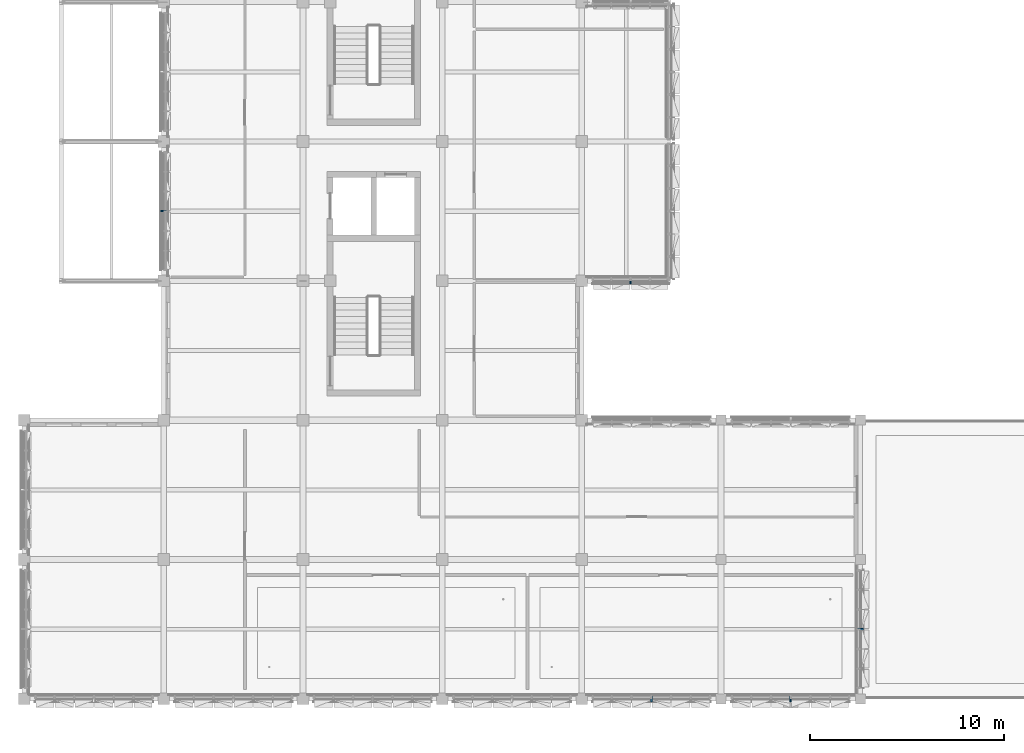
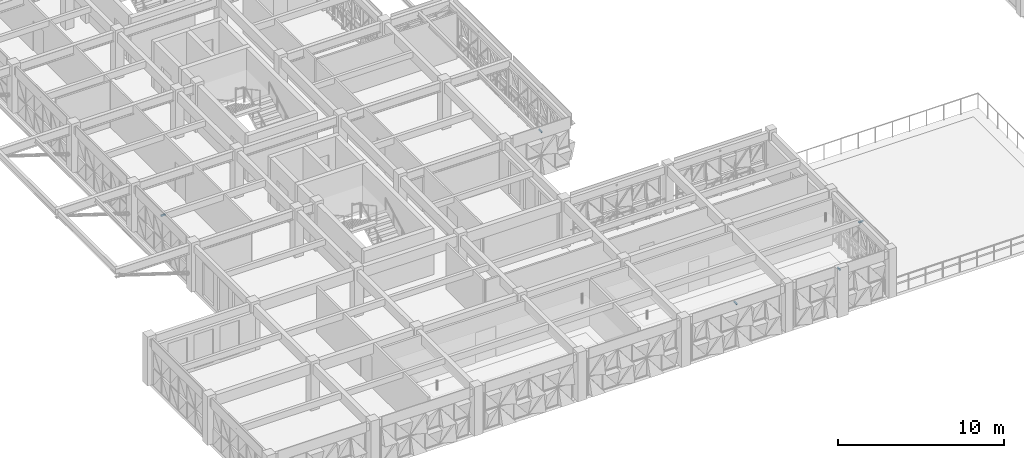
# One storey, part 69 of 99: 5 discrete accessories.
"""IFC4 building model written with IfcOpenShell, lengths in metres."""

import ifcopenshell
import ifcopenshell.guid

model = None  # the IFC model being written
_history = None  # IfcOwnerHistory: only IFC2X3 demands one
_inside = {}  # id of a spatial element -> (the spatial element, [elements in it])
_under = {}  # id of a project, library or spatial element -> (it, [spatial elements below it])
_declared = {}  # id of a project -> (the project, [libraries it declares])
_typed = {}  # id of a type object -> (the type object, [elements of that type])
_made_of = {}  # id of a material, layer set ... -> (it, [elements and type objects made of it])


def new_model(schema):
    """Start an empty IFC model of exactly this schema.

    Asked for "IFC4X3", IfcOpenShell would pick the latest addendum, in which some entities
    have other attributes; the version numbers below select the first issue.
    IFC2X3 requires an IfcOwnerHistory on every rooted entity: one is made here for all.
    """
    global model, _history
    if schema == "IFC4X3":
        model = ifcopenshell.file(schema_version=(4, 3, 0, 0))
    else:
        model = ifcopenshell.file(schema=schema)
    _inside.clear()
    _under.clear()
    _declared.clear()
    _typed.clear()
    _made_of.clear()
    _history = None
    if model.schema == "IFC2X3":
        org = make("IfcOrganization", Name="unknown")
        user = make(
            "IfcPersonAndOrganization",
            ThePerson=make("IfcPerson", FamilyName="unknown"),
            TheOrganization=org,
        )
        app = make(
            "IfcApplication",
            ApplicationDeveloper=org,
            Version="unknown",
            ApplicationFullName="unknown",
            ApplicationIdentifier="unknown",
        )
        _history = make(
            "IfcOwnerHistory",
            OwningUser=user,
            OwningApplication=app,
            ChangeAction="ADDED",
            CreationDate=0,
        )
    return model


def make(cls, **values):
    """One entity of the class cls with the attributes given. An attribute that is None is left unset."""
    return model.create_entity(
        cls, **{name: value for name, value in values.items() if value is not None}
    )


def rooted(cls, **values):
    """An entity with a GlobalId (a new one), such as an element, a storey or a relation."""
    return make(cls, GlobalId=ifcopenshell.guid.new(), OwnerHistory=_history, **values)


def si_unit(unit_type, name, prefix=None):
    """IfcSIUnit, for example si_unit("LENGTHUNIT", "METRE", prefix="MILLI")."""
    return make("IfcSIUnit", UnitType=unit_type, Prefix=prefix, Name=name)


def assignment(units):
    """IfcUnitAssignment: the units of a project."""
    return None if units is None else make("IfcUnitAssignment", Units=units)


def point(xyz):
    """IfcCartesianPoint."""
    return None if xyz is None else make("IfcCartesianPoint", Coordinates=xyz)


def direction(xyz):
    """IfcDirection."""
    return None if xyz is None else make("IfcDirection", DirectionRatios=xyz)


def frame(location, z_axis=None, x_axis=None):
    """IfcAxis2Placement3D, a coordinate frame: its origin and axes. An axis left out is left unset."""
    return make(
        "IfcAxis2Placement3D",
        Location=point(location),
        Axis=direction(z_axis),
        RefDirection=direction(x_axis),
    )


def frame_2d(location, x_axis=None):
    """IfcAxis2Placement2D, a coordinate frame in the plane: its origin and x axis."""
    return make(
        "IfcAxis2Placement2D", Location=point(location), RefDirection=direction(x_axis)
    )


def origin():
    """The frame at (0, 0, 0) with its axes left unset."""
    return frame((0.0, 0.0, 0.0))


def origin_2d():
    """The frame at (0, 0) in the plane with its x axis left unset."""
    return frame_2d((0.0, 0.0))


def place(relative_to, where):
    """IfcLocalPlacement: puts the frame where relative to a parent placement (None: the world)."""
    return make(
        "IfcLocalPlacement", PlacementRelTo=relative_to, RelativePlacement=where
    )


def context(
    kind, dimensions, precision=None, world=None, true_north=None, identifier=None
):
    """IfcGeometricRepresentationContext, for example the 3D "Model" context."""
    return make(
        "IfcGeometricRepresentationContext",
        ContextIdentifier=identifier,
        ContextType=kind,
        CoordinateSpaceDimension=dimensions,
        Precision=precision,
        WorldCoordinateSystem=world,
        TrueNorth=true_north,
    )


def subcontext(parent, identifier, kind, view, scale=None):
    """IfcGeometricRepresentationSubContext, for example "Body" below "Model"."""
    return make(
        "IfcGeometricRepresentationSubContext",
        ContextIdentifier=identifier,
        ContextType=kind,
        ParentContext=parent,
        TargetScale=scale,
        TargetView=view,
    )


def project(units=None, contexts=None):
    """IfcProject with its units and contexts."""
    return rooted(
        "IfcProject",
        Name="project",
        RepresentationContexts=contexts,
        UnitsInContext=assignment(units),
    )


def spatial(cls, under=None, at=None, **own):
    """A site, building, storey or space (cls), placed at a placement, below another one or the project."""
    s = rooted(cls, ObjectPlacement=at, **own)
    if under is not None:
        _under.setdefault(under.id(), (under, []))[1].append(s)
    return s


def profile(cls, at=None, kind="AREA", **sizes):
    """A parametric profile (cls). Its sizes go by their IFC names, for example OverallWidth=200.0."""
    return make(cls, ProfileType=kind, Position=at, **sizes)


def rectangle(**sizes):
    """IfcRectangleProfileDef."""
    return profile("IfcRectangleProfileDef", **sizes)


def extrude(swept, where, along, depth):
    """IfcExtrudedAreaSolid: the profile swept, set in the frame where, extruded along a direction by depth."""
    return make(
        "IfcExtrudedAreaSolid",
        SweptArea=swept,
        Position=where,
        ExtrudedDirection=direction(along),
        Depth=depth,
    )


def shape(context_of_items, identifier, shape_type, items):
    """IfcShapeRepresentation: the items that make up one representation, for example the "Body"."""
    return make(
        "IfcShapeRepresentation",
        ContextOfItems=context_of_items,
        RepresentationIdentifier=identifier,
        RepresentationType=shape_type,
        Items=items,
    )


def material(Name=None, Category=None):
    """IfcMaterial."""
    return make("IfcMaterial", Name=Name, Category=Category)


def made_of(thing, what):
    """Note that an element or type object is made of a material, layer set ...; save() writes the relation."""
    if what is not None:
        _made_of.setdefault(what.id(), (what, []))[1].append(thing)
    return thing


def type_object(cls, material=None, **own):
    """A type object (cls), such as IfcWallType, which elements share."""
    return made_of(rooted(cls, **own), material)


def element(
    cls,
    number,
    at=None,
    inside=None,
    cuts=None,
    type_object=None,
    material=None,
    context=None,
    identifier="Body",
    shape_type=None,
    held_by="IfcProductDefinitionShape",
    body=None,
    shapes=None,
    **own,
):
    """One element of the class cls, such as IfcWall. Its Tag is "e" and its number.

    at: its placement. inside: the storey or other place that contains it. cuts: it is an
    opening in that element (IfcRelVoidsElement). A single representation is given by context,
    identifier, shape_type and body (its items); several are given by shapes. held_by: the class
    of the entity that holds the representations. save() writes the other relations.
    """
    e = rooted(cls, Tag="e%d" % number, ObjectPlacement=at, **own)
    if body is not None:
        shapes = [shape(context, identifier, shape_type, body)]
    if shapes is not None:
        e.Representation = make(held_by, Representations=shapes)
    if inside is not None:
        _inside.setdefault(inside.id(), (inside, []))[1].append(e)
    if cuts is not None:
        rooted(
            "IfcRelVoidsElement", RelatingBuildingElement=cuts, RelatedOpeningElement=e
        )
    if type_object is not None:
        _typed.setdefault(type_object.id(), (type_object, []))[1].append(e)
    return made_of(e, material)


def aggregate(whole, parts):
    """IfcRelAggregates: a whole, such as a stair, and the parts it consists of."""
    return rooted("IfcRelAggregates", RelatingObject=whole, RelatedObjects=parts)


def save(model, path):
    """Write the relations noted so far, then the file.

    IfcRelAggregates (storeys below a building ...), IfcRelContainedInSpatialStructure (elements
    in a storey), IfcRelDefinesByType, IfcRelAssociatesMaterial and IfcRelDeclares: one each for
    every whole, place, type object, material and project.
    """
    for whole, parts in _under.values():
        aggregate(whole, parts)
    for where, things in _inside.values():
        rooted(
            "IfcRelContainedInSpatialStructure",
            RelatedElements=things,
            RelatingStructure=where,
        )
    for kind, things in _typed.values():
        rooted("IfcRelDefinesByType", RelatedObjects=things, RelatingType=kind)
    for what, things in _made_of.values():
        rooted("IfcRelAssociatesMaterial", RelatedObjects=things, RelatingMaterial=what)
    for by, libraries in _declared.values():
        rooted("IfcRelDeclares", RelatingContext=by, RelatedDefinitions=libraries)
    model.write(path)


model = new_model("IFC4")

# Units and contexts
model_context = context("Model", 3, precision=1e-05, world=origin(), true_north=direction((0.0, 1.0)))
body_context = subcontext(model_context, "Body", "Model", "MODEL_VIEW")
ifc_project = project(units=[si_unit("LENGTHUNIT", "METRE"), si_unit("AREAUNIT", "SQUARE_METRE"), si_unit("VOLUMEUNIT", "CUBIC_METRE"), si_unit("PLANEANGLEUNIT", "RADIAN"), si_unit("MASSUNIT", "GRAM", prefix="KILO")], contexts=[model_context])

# Site, building, storey
site_placement = place(None, origin())
site = spatial("IfcSite", under=ifc_project, at=site_placement, CompositionType="ELEMENT")
building_placement = place(site_placement, origin())
building = spatial("IfcBuilding", under=site, at=building_placement, Name="Alvorim Cloister Faculty of Sciences", CompositionType="ELEMENT")
storey_placement = place(building_placement, frame((0.0, 0.0, 12.14990234375)))
storey = spatial("IfcBuildingStorey", under=building, at=storey_placement, Name="L03", CompositionType="ELEMENT", Elevation=12.14990234375)

# Discrete accessories
ifc_material = material(Name="Aluminium Alloy 6063-T6", Category="aluminium")
discrete_accessory_type = type_object("IfcDiscreteAccessoryType", Name="ACC-DIAG-BAR", PredefinedType="BRACKET", material=ifc_material)
for number, where, z_axis, x_axis, name in (
    (1, (7.340087890625, 25.199951171875, 3.22509765625), (-1.0, 0.0, 0.0), (0.0, -1.0, 0.0), "Slab-Edge Fascia Tie Bracket ACC-01034"),
    (2, (31.330078125, 21.739990234375, 3.153076171875), (0.0, -1.0, 0.0), (1.0, 0.0, 0.0), "Slab-Edge Fascia Tie Bracket ACC-01557"),
    (3, (43.06005859375, 3.60009765625, 3.22509765625), (1.0, 0.0, 0.0), (0.0, 1.0, 0.0), "Slab-Edge Fascia Tie Bracket ACC-01596"),
):
    element("IfcDiscreteAccessory", number, at=place(storey_placement, frame(where, z_axis=z_axis, x_axis=x_axis)), inside=storey, type_object=discrete_accessory_type, Name=name, PredefinedType="BRACKET", context=body_context, shape_type="SweptSolid", body=[
        extrude(rectangle(XDim=0.080078125, YDim=0.080078125, at=origin_2d()), origin(), (0.0, 0.0, 1.0), 0.300048828125),
    ])
for number, where, z_axis, x_axis, name in (
    (4, (39.60009765625, 0.139892578125, 3.22509765625), (0.0, -1.0, 0.0), (1.0, 0.0, 0.0), "Slab-Edge Fascia Tie Bracket ACC-01609"),
    (5, (32.39990234375, 0.139892578125, 3.22509765625), (0.0, -1.0, 0.0), (1.0, 0.0, 0.0), "Slab-Edge Fascia Tie Bracket ACC-01622"),
):
    element("IfcDiscreteAccessory", number, at=place(storey_placement, frame(where, z_axis=z_axis, x_axis=x_axis)), inside=storey, type_object=discrete_accessory_type, Name=name, PredefinedType="BRACKET", context=body_context, shape_type="SweptSolid", body=[
        extrude(rectangle(XDim=0.080078125, YDim=0.080078125, at=origin_2d()), origin(), (0.0, 0.0, 1.0), 0.2998046875),
    ])

save(model, "model.ifc")
